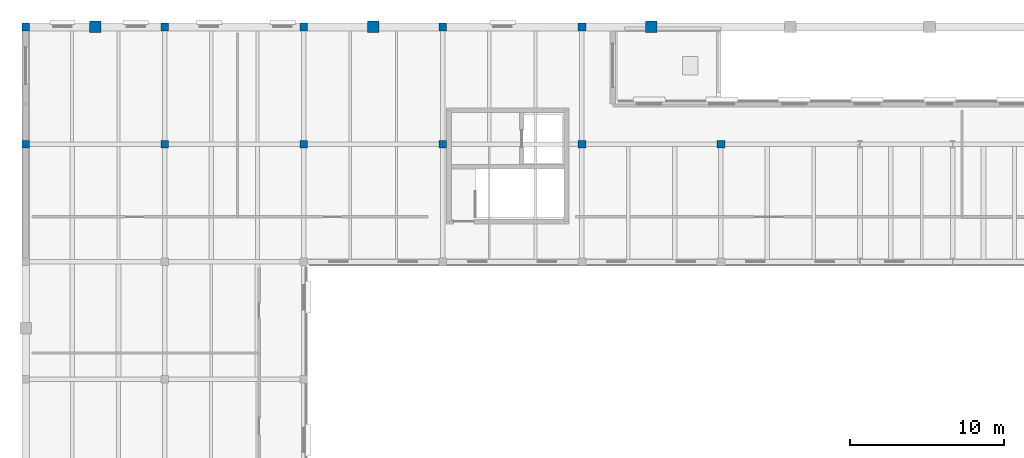
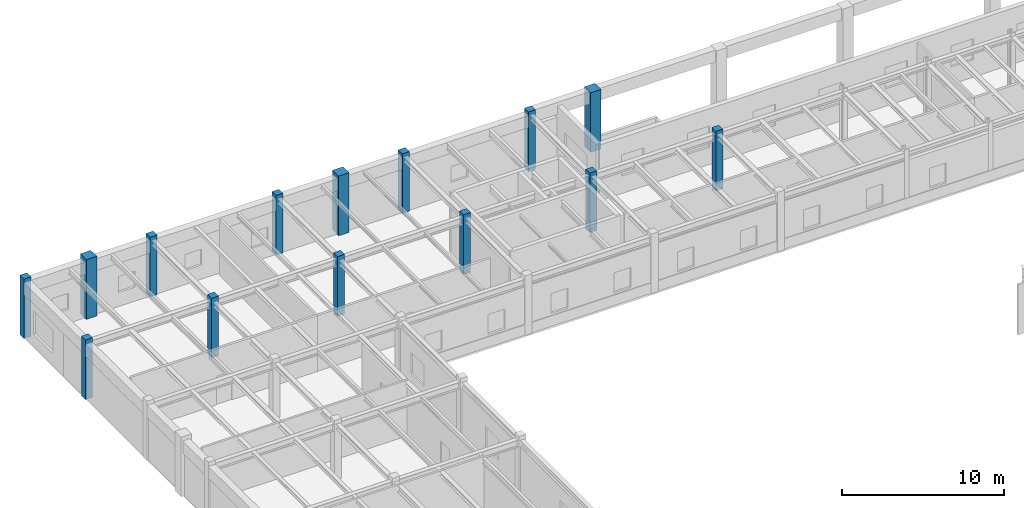
# One storey, part 10 of 64: 14 columns.
"""IFC4 building model written with IfcOpenShell, lengths in metres."""

import ifcopenshell
import ifcopenshell.guid

model = None  # the IFC model being written
_history = None  # IfcOwnerHistory: only IFC2X3 demands one
_inside = {}  # id of a spatial element -> (the spatial element, [elements in it])
_under = {}  # id of a project, library or spatial element -> (it, [spatial elements below it])
_declared = {}  # id of a project -> (the project, [libraries it declares])
_typed = {}  # id of a type object -> (the type object, [elements of that type])
_made_of = {}  # id of a material, layer set ... -> (it, [elements and type objects made of it])


def new_model(schema):
    """Start an empty IFC model of exactly this schema.

    Asked for "IFC4X3", IfcOpenShell would pick the latest addendum, in which some entities
    have other attributes; the version numbers below select the first issue.
    IFC2X3 requires an IfcOwnerHistory on every rooted entity: one is made here for all.
    """
    global model, _history
    if schema == "IFC4X3":
        model = ifcopenshell.file(schema_version=(4, 3, 0, 0))
    else:
        model = ifcopenshell.file(schema=schema)
    _inside.clear()
    _under.clear()
    _declared.clear()
    _typed.clear()
    _made_of.clear()
    _history = None
    if model.schema == "IFC2X3":
        org = make("IfcOrganization", Name="unknown")
        user = make(
            "IfcPersonAndOrganization",
            ThePerson=make("IfcPerson", FamilyName="unknown"),
            TheOrganization=org,
        )
        app = make(
            "IfcApplication",
            ApplicationDeveloper=org,
            Version="unknown",
            ApplicationFullName="unknown",
            ApplicationIdentifier="unknown",
        )
        _history = make(
            "IfcOwnerHistory",
            OwningUser=user,
            OwningApplication=app,
            ChangeAction="ADDED",
            CreationDate=0,
        )
    return model


def make(cls, **values):
    """One entity of the class cls with the attributes given. An attribute that is None is left unset."""
    return model.create_entity(
        cls, **{name: value for name, value in values.items() if value is not None}
    )


def rooted(cls, **values):
    """An entity with a GlobalId (a new one), such as an element, a storey or a relation."""
    return make(cls, GlobalId=ifcopenshell.guid.new(), OwnerHistory=_history, **values)


def si_unit(unit_type, name, prefix=None):
    """IfcSIUnit, for example si_unit("LENGTHUNIT", "METRE", prefix="MILLI")."""
    return make("IfcSIUnit", UnitType=unit_type, Prefix=prefix, Name=name)


def assignment(units):
    """IfcUnitAssignment: the units of a project."""
    return None if units is None else make("IfcUnitAssignment", Units=units)


def point(xyz):
    """IfcCartesianPoint."""
    return None if xyz is None else make("IfcCartesianPoint", Coordinates=xyz)


def direction(xyz):
    """IfcDirection."""
    return None if xyz is None else make("IfcDirection", DirectionRatios=xyz)


def frame(location, z_axis=None, x_axis=None):
    """IfcAxis2Placement3D, a coordinate frame: its origin and axes. An axis left out is left unset."""
    return make(
        "IfcAxis2Placement3D",
        Location=point(location),
        Axis=direction(z_axis),
        RefDirection=direction(x_axis),
    )


def frame_2d(location, x_axis=None):
    """IfcAxis2Placement2D, a coordinate frame in the plane: its origin and x axis."""
    return make(
        "IfcAxis2Placement2D", Location=point(location), RefDirection=direction(x_axis)
    )


def origin():
    """The frame at (0, 0, 0) with its axes left unset."""
    return frame((0.0, 0.0, 0.0))


def origin_2d():
    """The frame at (0, 0) in the plane with its x axis left unset."""
    return frame_2d((0.0, 0.0))


def place(relative_to, where):
    """IfcLocalPlacement: puts the frame where relative to a parent placement (None: the world)."""
    return make(
        "IfcLocalPlacement", PlacementRelTo=relative_to, RelativePlacement=where
    )


def context(
    kind, dimensions, precision=None, world=None, true_north=None, identifier=None
):
    """IfcGeometricRepresentationContext, for example the 3D "Model" context."""
    return make(
        "IfcGeometricRepresentationContext",
        ContextIdentifier=identifier,
        ContextType=kind,
        CoordinateSpaceDimension=dimensions,
        Precision=precision,
        WorldCoordinateSystem=world,
        TrueNorth=true_north,
    )


def subcontext(parent, identifier, kind, view, scale=None):
    """IfcGeometricRepresentationSubContext, for example "Body" below "Model"."""
    return make(
        "IfcGeometricRepresentationSubContext",
        ContextIdentifier=identifier,
        ContextType=kind,
        ParentContext=parent,
        TargetScale=scale,
        TargetView=view,
    )


def project(units=None, contexts=None):
    """IfcProject with its units and contexts."""
    return rooted(
        "IfcProject",
        Name="project",
        RepresentationContexts=contexts,
        UnitsInContext=assignment(units),
    )


def spatial(cls, under=None, at=None, **own):
    """A site, building, storey or space (cls), placed at a placement, below another one or the project."""
    s = rooted(cls, ObjectPlacement=at, **own)
    if under is not None:
        _under.setdefault(under.id(), (under, []))[1].append(s)
    return s


def profile(cls, at=None, kind="AREA", **sizes):
    """A parametric profile (cls). Its sizes go by their IFC names, for example OverallWidth=200.0."""
    return make(cls, ProfileType=kind, Position=at, **sizes)


def rectangle(**sizes):
    """IfcRectangleProfileDef."""
    return profile("IfcRectangleProfileDef", **sizes)


def extrude(swept, where, along, depth):
    """IfcExtrudedAreaSolid: the profile swept, set in the frame where, extruded along a direction by depth."""
    return make(
        "IfcExtrudedAreaSolid",
        SweptArea=swept,
        Position=where,
        ExtrudedDirection=direction(along),
        Depth=depth,
    )


def shape(context_of_items, identifier, shape_type, items):
    """IfcShapeRepresentation: the items that make up one representation, for example the "Body"."""
    return make(
        "IfcShapeRepresentation",
        ContextOfItems=context_of_items,
        RepresentationIdentifier=identifier,
        RepresentationType=shape_type,
        Items=items,
    )


def material(Name=None, Category=None):
    """IfcMaterial."""
    return make("IfcMaterial", Name=Name, Category=Category)


def material_profile(
    of_material, cross_section, Name=None, Category=None, Priority=None
):
    """IfcMaterialProfile: a cross section and its material."""
    return make(
        "IfcMaterialProfile",
        Name=Name,
        Material=of_material,
        Profile=cross_section,
        Priority=Priority,
        Category=Category,
    )


def profile_set(profiles, Name=None, composite=None):
    """IfcMaterialProfileSet."""
    return make(
        "IfcMaterialProfileSet",
        Name=Name,
        MaterialProfiles=profiles,
        CompositeProfile=composite,
    )


def made_of(thing, what):
    """Note that an element or type object is made of a material, layer set ...; save() writes the relation."""
    if what is not None:
        _made_of.setdefault(what.id(), (what, []))[1].append(thing)
    return thing


def type_object(cls, material=None, **own):
    """A type object (cls), such as IfcWallType, which elements share."""
    return made_of(rooted(cls, **own), material)


def element(
    cls,
    number,
    at=None,
    inside=None,
    cuts=None,
    type_object=None,
    material=None,
    context=None,
    identifier="Body",
    shape_type=None,
    held_by="IfcProductDefinitionShape",
    body=None,
    shapes=None,
    **own,
):
    """One element of the class cls, such as IfcWall. Its Tag is "e" and its number.

    at: its placement. inside: the storey or other place that contains it. cuts: it is an
    opening in that element (IfcRelVoidsElement). A single representation is given by context,
    identifier, shape_type and body (its items); several are given by shapes. held_by: the class
    of the entity that holds the representations. save() writes the other relations.
    """
    e = rooted(cls, Tag="e%d" % number, ObjectPlacement=at, **own)
    if body is not None:
        shapes = [shape(context, identifier, shape_type, body)]
    if shapes is not None:
        e.Representation = make(held_by, Representations=shapes)
    if inside is not None:
        _inside.setdefault(inside.id(), (inside, []))[1].append(e)
    if cuts is not None:
        rooted(
            "IfcRelVoidsElement", RelatingBuildingElement=cuts, RelatedOpeningElement=e
        )
    if type_object is not None:
        _typed.setdefault(type_object.id(), (type_object, []))[1].append(e)
    return made_of(e, material)


def aggregate(whole, parts):
    """IfcRelAggregates: a whole, such as a stair, and the parts it consists of."""
    return rooted("IfcRelAggregates", RelatingObject=whole, RelatedObjects=parts)


def save(model, path):
    """Write the relations noted so far, then the file.

    IfcRelAggregates (storeys below a building ...), IfcRelContainedInSpatialStructure (elements
    in a storey), IfcRelDefinesByType, IfcRelAssociatesMaterial and IfcRelDeclares: one each for
    every whole, place, type object, material and project.
    """
    for whole, parts in _under.values():
        aggregate(whole, parts)
    for where, things in _inside.values():
        rooted(
            "IfcRelContainedInSpatialStructure",
            RelatedElements=things,
            RelatingStructure=where,
        )
    for kind, things in _typed.values():
        rooted("IfcRelDefinesByType", RelatedObjects=things, RelatingType=kind)
    for what, things in _made_of.values():
        rooted("IfcRelAssociatesMaterial", RelatedObjects=things, RelatingMaterial=what)
    for by, libraries in _declared.values():
        rooted("IfcRelDeclares", RelatingContext=by, RelatedDefinitions=libraries)
    model.write(path)


model = new_model("IFC4")

# Units and contexts
model_context = context("Model", 3, precision=1e-05, world=origin(), true_north=direction((0.0, 1.0)))
body_context = subcontext(model_context, "Body", "Model", "MODEL_VIEW")
ifc_project = project(units=[si_unit("LENGTHUNIT", "METRE"), si_unit("AREAUNIT", "SQUARE_METRE"), si_unit("VOLUMEUNIT", "CUBIC_METRE"), si_unit("PLANEANGLEUNIT", "RADIAN"), si_unit("MASSUNIT", "GRAM", prefix="KILO")], contexts=[model_context])

# Site, building, storey
site_placement = place(None, origin())
site = spatial("IfcSite", under=ifc_project, at=site_placement, CompositionType="ELEMENT")
building_placement = place(site_placement, origin())
building = spatial("IfcBuilding", under=site, at=building_placement, Name="Montealbar Specialist Clinic", CompositionType="ELEMENT")
storey_placement = place(building_placement, frame((0.0, 0.0, 5.10009765625)))
storey = spatial("IfcBuildingStorey", under=building, at=storey_placement, Name="L01", CompositionType="ELEMENT", Elevation=5.10009765625)

# Columns
ifc_material_1 = material(Name="Concrete C35/45", Category="concrete")
ifc_material_profile_1 = material_profile(ifc_material_1, rectangle(XDim=0.5, YDim=0.5, at=origin_2d()), Name="RC 500x500", Category="concrete")
ifc_profile_set_1 = profile_set([ifc_material_profile_1], Name="Concrete C35/45")
column_type_1 = type_object("IfcColumnType", Name="COL-RC-L01", PredefinedType="COLUMN", material=ifc_profile_set_1)
for number, where, z_axis, x_axis, name in (
    (1, (9.0, 103.39990234375, 0.0), (0.0, 0.0, 1.0), (1.0, 0.0, 0.0), "Column 2/N L01"),
    (2, (18.0, 103.39990234375, 0.0), (0.0, 0.0, 1.0), (1.0, 0.0, 0.0), "Column 3/N L01"),
    (3, (27.0, 103.39990234375, 0.0), (0.0, 0.0, 1.0), (1.0, 0.0, 0.0), "Column 4/N L01"),
    (4, (36.0, 103.39990234375, 0.0), (0.0, 0.0, 1.0), (1.0, 0.0, 0.0), "Column 5/N L01"),
    (5, (45.0, 103.39990234375, 0.0), (0.0, 0.0, 1.0), (1.0, 0.0, 0.0), "Column 6/N L01"),
):
    element("IfcColumn", number, at=place(storey_placement, frame(where, z_axis=z_axis, x_axis=x_axis)), inside=storey, type_object=column_type_1, Name=name, PredefinedType="COLUMN", context=body_context, shape_type="SweptSolid", body=[
        extrude(rectangle(XDim=0.5, YDim=0.5, at=origin_2d()), origin(), (0.0, 0.0, 1.0), 4.5),
    ])
ifc_material_profile_2 = material_profile(ifc_material_1, rectangle(XDim=0.5, YDim=0.5, at=origin_2d()), Name="RC 500x500", Category="concrete")
ifc_profile_set_2 = profile_set([ifc_material_profile_2], Name="Concrete C35/45")
column_type_2 = type_object("IfcColumnType", Name="COL-RC-L01-EXT", PredefinedType="COLUMN", material=ifc_profile_set_2)
for number, where, z_axis, x_axis, name in (
    (6, (0.0, 103.39990234375, 0.0), (0.0, 0.0, 1.0), (1.0, 0.0, 0.0), "Column 1/N L01"),
    (7, (0.0, 111.0, 0.0), (0.0, 0.0, 1.0), (1.0, 0.0, 0.0), "Column 1/P L01"),
    (8, (9.0, 111.0, 0.0), (0.0, 0.0, 1.0), (1.0, 0.0, 0.0), "Column 2/P L01"),
    (9, (18.0, 111.0, 0.0), (0.0, 0.0, 1.0), (1.0, 0.0, 0.0), "Column 3/P L01"),
    (10, (27.0, 111.0, 0.0), (0.0, 0.0, 1.0), (1.0, 0.0, 0.0), "Column 4/P L01"),
    (11, (36.0, 111.0, 0.0), (0.0, 0.0, 1.0), (1.0, 0.0, 0.0), "Column 5/P L01"),
):
    element("IfcColumn", number, at=place(storey_placement, frame(where, z_axis=z_axis, x_axis=x_axis)), inside=storey, type_object=column_type_2, Name=name, PredefinedType="COLUMN", context=body_context, shape_type="SweptSolid", body=[
        extrude(rectangle(XDim=0.5, YDim=0.5, at=origin_2d()), origin(), (0.0, 0.0, 1.0), 4.5),
    ])
ifc_material_2 = material(Name="Guadarrama granite ashlar", Category="masonry")
ifc_material_profile_3 = material_profile(ifc_material_2, rectangle(XDim=0.75, YDim=0.75, at=origin_2d()), Name="GRANITE PILASTER 750x750", Category="masonry")
ifc_profile_set_3 = profile_set([ifc_material_profile_3], Name="Guadarrama granite ashlar")
column_type_3 = type_object("IfcColumnType", Name="PIL-PM-GIANT-EXT", PredefinedType="PILASTER", material=ifc_profile_set_3)
for number, where, z_axis, x_axis, name in (
    (12, (4.5, 111.0, 0.0), (0.0, 0.0, 1.0), (1.0, 0.0, 0.0), "Column NP1/P L01"),
    (13, (22.5, 111.0, 0.0), (0.0, 0.0, 1.0), (1.0, 0.0, 0.0), "Column NP2/P L01"),
    (14, (40.5, 111.0, 0.0), (0.0, 0.0, 1.0), (1.0, 0.0, 0.0), "Column NP3/P L01"),
):
    element("IfcColumn", number, at=place(storey_placement, frame(where, z_axis=z_axis, x_axis=x_axis)), inside=storey, type_object=column_type_3, Name=name, PredefinedType="PILASTER", context=body_context, shape_type="SweptSolid", body=[
        extrude(rectangle(XDim=0.75, YDim=0.75, at=origin_2d()), origin(), (0.0, 0.0, 1.0), 4.5),
    ])

save(model, "model.ifc")
